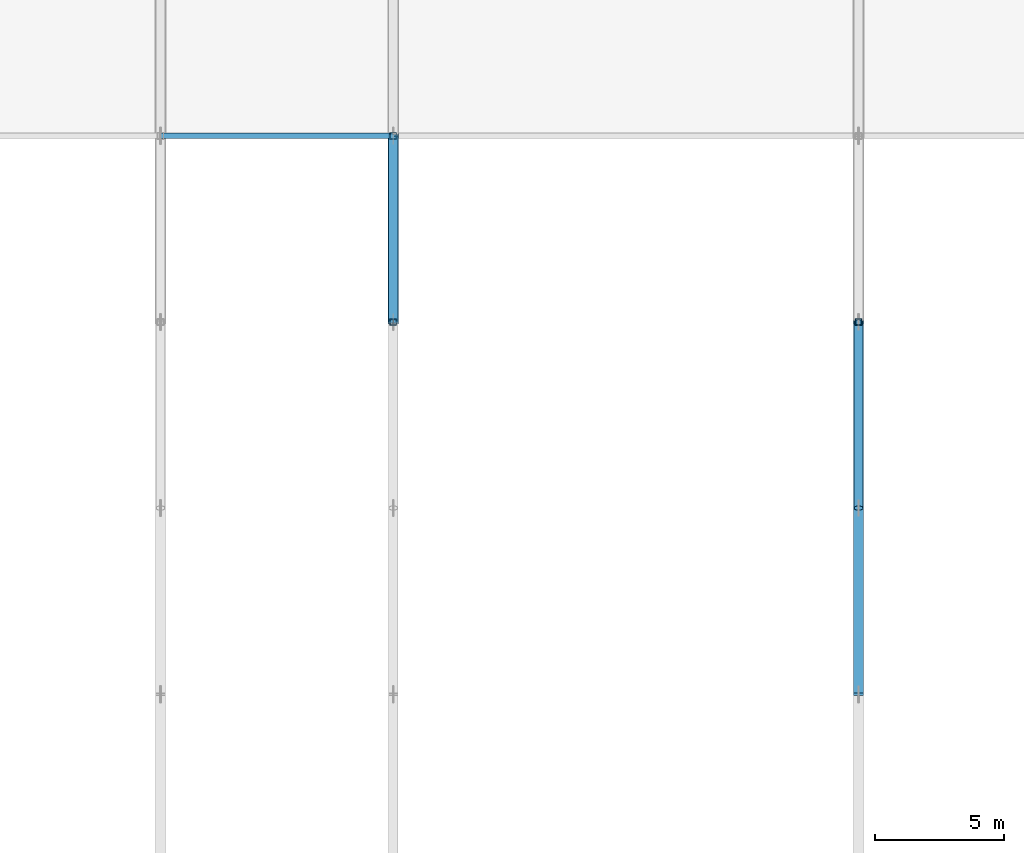
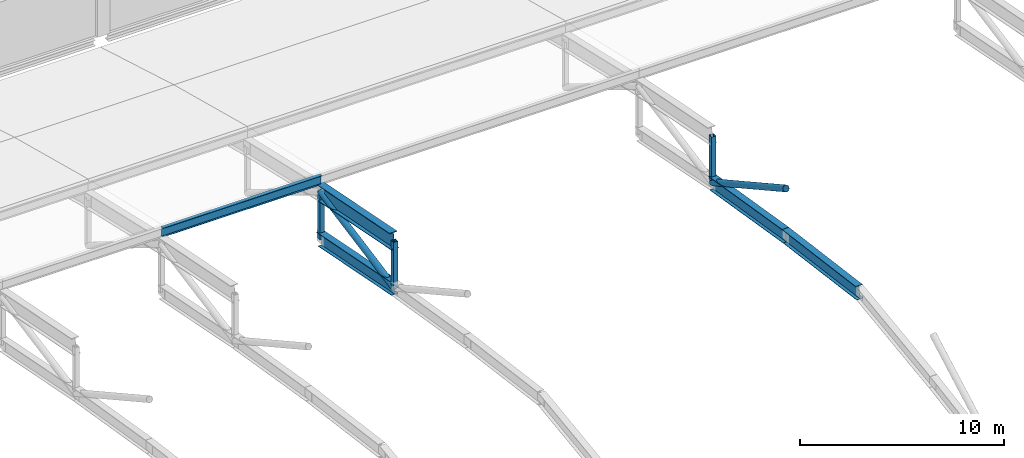
# One storey, part 32 of 124: 10 members.
"""IFC4 building model written with IfcOpenShell, lengths in metres."""

from ifc_helpers import new_model, si_unit, direction, frame, origin, origin_2d, place, context, subcontext, project, spatial, hollow_rectangle, hollow_circle, i_section, extrude, material, material_profile, profile_set, type_object, element, save


model = new_model("IFC4")

# Units and contexts
model_context = context("Model", 3, precision=1e-05, world=origin(), true_north=direction((0.0, 1.0)))
body_context = subcontext(model_context, "Body", "Model", "MODEL_VIEW")
ifc_project = project(units=[si_unit("LENGTHUNIT", "METRE"), si_unit("AREAUNIT", "SQUARE_METRE"), si_unit("VOLUMEUNIT", "CUBIC_METRE"), si_unit("PLANEANGLEUNIT", "RADIAN"), si_unit("MASSUNIT", "GRAM", prefix="KILO")], contexts=[model_context])

# Site, building, storey
site_placement = place(None, origin())
site = spatial("IfcSite", under=ifc_project, at=site_placement, CompositionType="ELEMENT")
building_placement = place(site_placement, origin())
building = spatial("IfcBuilding", under=site, at=building_placement, Name="Celestram Park Convention Centre", CompositionType="ELEMENT")
storey_placement = place(building_placement, frame((0.0, 0.0, 15.300048828125)))
storey = spatial("IfcBuildingStorey", under=building, at=storey_placement, Name="L03", CompositionType="ELEMENT", Elevation=15.300048828125)

# Members
ifc_material_1 = material(Name="Steel ASTM A500 Grade C", Category="steel")
ifc_material_profile_1 = material_profile(ifc_material_1, hollow_circle(Radius=0.177978515625, WallThickness=0.011962890625, at=origin_2d()), Name="CHS356X12")
ifc_profile_set_1 = profile_set([ifc_material_profile_1], Name="Steel ASTM A500 Grade C")
member_type_1 = type_object("IfcMemberType", Name="STR-BRC-CHS356", PredefinedType="BRACE", material=ifc_profile_set_1)
member_1_placement = place(storey_placement, frame((72.0, 79.199951171875, 2.181640625), z_axis=(0.0, 0.982076449011, 0.188483018595), x_axis=(-1.0, 0.0, 0.0)))
element("IfcMember", 1, at=member_1_placement, inside=storey, type_object=member_type_1, Name="V1 arch web diagonal", PredefinedType="BRACE", context=body_context, shape_type="SweptSolid", body=[
    extrude(hollow_circle(Radius=0.177978515625, WallThickness=0.011962890625, at=origin_2d()), origin(), (0.0, 0.0, 1.0), 7.331298828125),
])
member_2_placement = place(storey_placement, frame((90.0, 72.0, 6.170166015625), z_axis=(0.0, 0.87474706166, -0.484579795407), x_axis=(-1.0, 0.0, 0.0)))
element("IfcMember", 2, at=member_2_placement, inside=storey, type_object=member_type_1, Name="V1 arch web diagonal", PredefinedType="BRACE", context=body_context, shape_type="SweptSolid", body=[
    extrude(hollow_circle(Radius=0.177978515625, WallThickness=0.011962890625, at=origin_2d()), origin(), (0.0, 0.0, 1.0), 8.23095703125),
])
ifc_material_2 = material(Name="Steel ASTM A992 Grade 50", Category="steel")
ifc_material_profile_2 = material_profile(ifc_material_2, i_section(OverallWidth=0.381103515625, OverallDepth=0.77197265625, WebThickness=0.0166015625, FlangeThickness=0.027099609375, at=origin_2d()), Name="W30X173")
ifc_profile_set_2 = profile_set([ifc_material_profile_2], Name="Steel ASTM A992 Grade 50")
member_type_2 = type_object("IfcMemberType", Name="STR-CHD-W30X173", PredefinedType="CHORD", material=ifc_profile_set_2)
member_3_placement = place(storey_placement, frame((72.0, 79.199951171875, 2.181640625), z_axis=(0.0, 0.981147221646, -0.193261815827), x_axis=(-1.0, 0.0, 0.0)))
element("IfcMember", 3, at=member_3_placement, inside=storey, type_object=member_type_2, Name="V1 arch bottom chord", PredefinedType="CHORD", context=body_context, shape_type="SweptSolid", body=[
    extrude(i_section(OverallWidth=0.381103515625, OverallDepth=0.77197265625, WebThickness=0.0166015625, FlangeThickness=0.027099609375, at=origin_2d()), origin(), (0.0, 0.0, 1.0), 7.33837890625),
])
member_4_placement = place(storey_placement, frame((90.0, 64.800048828125, 4.328369140625), z_axis=(0.0, 0.991259283276, -0.131928136952), x_axis=(-1.0, 0.0, 0.0)))
element("IfcMember", 4, at=member_4_placement, inside=storey, type_object=member_type_2, Name="V1 arch bottom chord", PredefinedType="CHORD", context=body_context, shape_type="SweptSolid", body=[
    extrude(i_section(OverallWidth=0.381103515625, OverallDepth=0.77197265625, WebThickness=0.0166015625, FlangeThickness=0.027099609375, at=origin_2d()), origin(), (0.0, 0.0, 1.0), 7.263427734375),
])
member_5_placement = place(storey_placement, frame((90.0, 72.0, 3.3701171875), z_axis=(0.0, 0.986648621514, -0.162863432557), x_axis=(-1.0, 0.0, 0.0)))
element("IfcMember", 5, at=member_5_placement, inside=storey, type_object=member_type_2, Name="V1 arch bottom chord", PredefinedType="CHORD", context=body_context, shape_type="SweptSolid", body=[
    extrude(i_section(OverallWidth=0.381103515625, OverallDepth=0.77197265625, WebThickness=0.0166015625, FlangeThickness=0.027099609375, at=origin_2d()), origin(), (0.0, 0.0, 1.0), 7.29736328125),
])
ifc_material_profile_3 = material_profile(ifc_material_2, i_section(OverallWidth=0.4189453125, OverallDepth=0.927001953125, WebThickness=0.019287109375, FlangeThickness=0.031982421875, at=origin_2d()), Name="W36X231")
ifc_profile_set_3 = profile_set([ifc_material_profile_3], Name="Steel ASTM A992 Grade 50")
member_type_3 = type_object("IfcMemberType", Name="STR-CHD-W36X231", PredefinedType="CHORD", material=ifc_profile_set_3)
member_6_placement = place(storey_placement, frame((72.0, 79.199951171875, 4.981689453125), z_axis=(0.0, 0.981147221646, -0.193261815827), x_axis=(-1.0, 0.0, 0.0)))
element("IfcMember", 6, at=member_6_placement, inside=storey, type_object=member_type_3, Name="V1 arch top chord", PredefinedType="CHORD", context=body_context, shape_type="SweptSolid", body=[
    extrude(i_section(OverallWidth=0.4189453125, OverallDepth=0.927001953125, WebThickness=0.019287109375, FlangeThickness=0.031982421875, at=origin_2d()), origin(), (0.0, 0.0, 1.0), 7.33837890625),
])
ifc_material_profile_4 = material_profile(ifc_material_2, i_section(OverallWidth=0.2099609375, OverallDepth=0.532958984375, WebThickness=0.01025390625, FlangeThickness=0.015625, at=origin_2d()), Name="W21X62")
ifc_profile_set_4 = profile_set([ifc_material_profile_4], Name="Steel ASTM A992 Grade 50")
member_type_4 = type_object("IfcMemberType", Name="STR-RFT-W21X62", PredefinedType="RAFTER", material=ifc_profile_set_4)
member_7_placement = place(storey_placement, frame((63.0, 86.39990234375, 4.29345703125), z_axis=(1.0, 0.0, 0.0), x_axis=(0.0, 1.0, 0.0)))
element("IfcMember", 7, at=member_7_placement, inside=storey, type_object=member_type_4, Name="V1 roof purlin", PredefinedType="RAFTER", context=body_context, shape_type="SweptSolid", body=[
    extrude(i_section(OverallWidth=0.2099609375, OverallDepth=0.532958984375, WebThickness=0.01025390625, FlangeThickness=0.015625, at=origin_2d()), origin(), (0.0, 0.0, 1.0), 9.0),
])
ifc_material_profile_5 = material_profile(ifc_material_1, hollow_rectangle(XDim=0.25, YDim=0.25, WallThickness=0.011962890625, at=origin_2d()), Name="HSS250X250X12")
ifc_profile_set_5 = profile_set([ifc_material_profile_5], Name="Steel ASTM A500 Grade C")
member_type_5 = type_object("IfcMemberType", Name="STR-STR-HSS250", PredefinedType="STRUT", material=ifc_profile_set_5)
for number, where, z_axis, x_axis, name in (
    (8, (72.0, 79.199951171875, 2.181640625), (0.0, 0.0, 1.0), (1.0, 0.0, 0.0), "V1 arch vertical strut"),
    (9, (72.0, 86.39990234375, 0.763427734375), (0.0, 0.0, 1.0), (1.0, 0.0, 0.0), "V1 arch vertical strut"),
    (10, (90.0, 79.199951171875, 2.181640625), (0.0, 0.0, 1.0), (1.0, 0.0, 0.0), "V1 arch vertical strut"),
):
    element("IfcMember", number, at=place(storey_placement, frame(where, z_axis=z_axis, x_axis=x_axis)), inside=storey, type_object=member_type_5, Name=name, PredefinedType="STRUT", context=body_context, shape_type="SweptSolid", body=[
        extrude(hollow_rectangle(XDim=0.25, YDim=0.25, WallThickness=0.011962890625, at=origin_2d()), origin(), (0.0, 0.0, 1.0), 2.800048828125),
    ])

save(model, "model.ifc")
